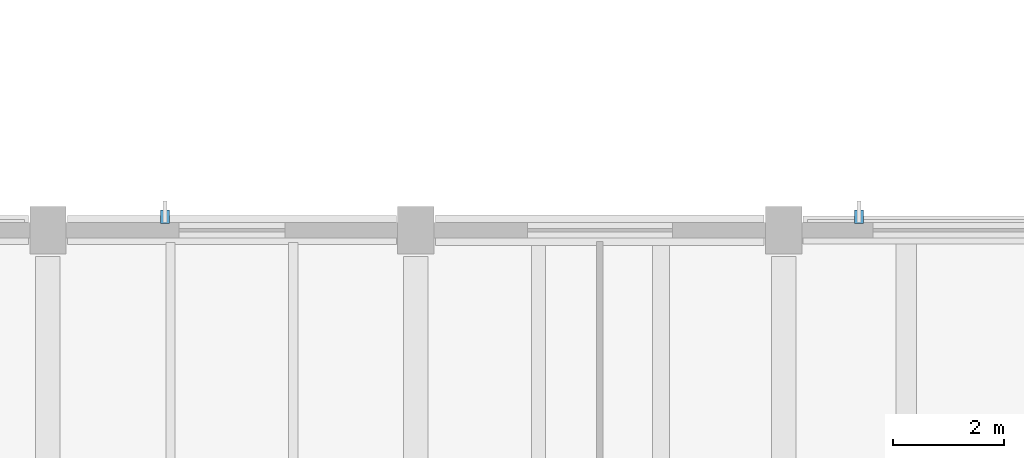
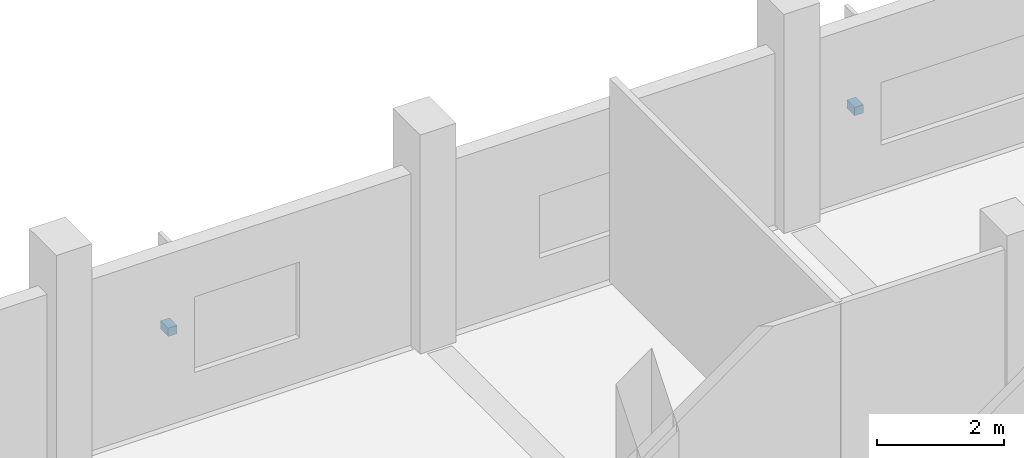
# One storey, part 57 of 68: 2 discrete accessories.
"""IFC4 building model written with IfcOpenShell, lengths in metres."""

from ifc_helpers import new_model, si_unit, direction, frame, origin, origin_2d, place, context, subcontext, project, spatial, rectangle, extrude, material, type_object, element, save


model = new_model("IFC4")

# Units and contexts
model_context = context("Model", 3, precision=1e-05, world=origin(), true_north=direction((0.0, 1.0)))
body_context = subcontext(model_context, "Body", "Model", "MODEL_VIEW")
ifc_project = project(units=[si_unit("LENGTHUNIT", "METRE"), si_unit("AREAUNIT", "SQUARE_METRE"), si_unit("VOLUMEUNIT", "CUBIC_METRE"), si_unit("PLANEANGLEUNIT", "RADIAN"), si_unit("MASSUNIT", "GRAM", prefix="KILO")], contexts=[model_context])

# Site, building, storey
site_placement = place(None, origin())
site = spatial("IfcSite", under=ifc_project, at=site_placement, CompositionType="ELEMENT")
building_placement = place(site_placement, origin())
building = spatial("IfcBuilding", under=site, at=building_placement, Name="Ciguamira Faculty of Natural Sciences", CompositionType="ELEMENT")
storey_placement = place(building_placement, frame((0.0, 0.0, 4.199951171875)))
storey = spatial("IfcBuildingStorey", under=building, at=storey_placement, Name="L01", CompositionType="ELEMENT", Elevation=4.199951171875)

# Discrete accessories
ifc_material = material(Name="Stainless steel fixing bracket", Category="steel")
discrete_accessory_type = type_object("IfcDiscreteAccessoryType", Name="FacadeBracket_BK01", PredefinedType="BRACKET", material=ifc_material)
for number, where, z_axis, x_axis, name in (
    (1, (138.60009765625, 24.239990234375, 1.4951171875), (0.0, 0.0, 1.0), (1.0, 0.0, 0.0), "L01 sunshade fixing bracket 0012"),
    (2, (151.050048828125, 24.239990234375, 1.3701171875), (0.0, 0.0, 1.0), (1.0, 0.0, 0.0), "L01 sunshade fixing bracket 0013"),
):
    element("IfcDiscreteAccessory", number, at=place(storey_placement, frame(where, z_axis=z_axis, x_axis=x_axis)), inside=storey, type_object=discrete_accessory_type, Name=name, PredefinedType="BRACKET", context=body_context, shape_type="SweptSolid", body=[
        extrude(rectangle(XDim=0.159912109375, YDim=0.239990234375, at=origin_2d()), origin(), (0.0, 0.0, 1.0), 0.159912109375),
    ])

save(model, "model.ifc")
